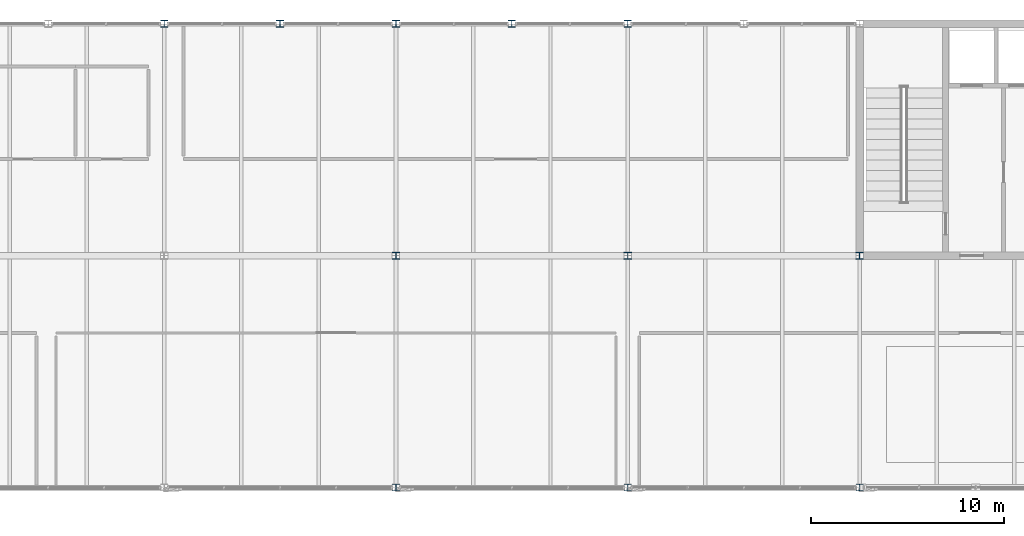
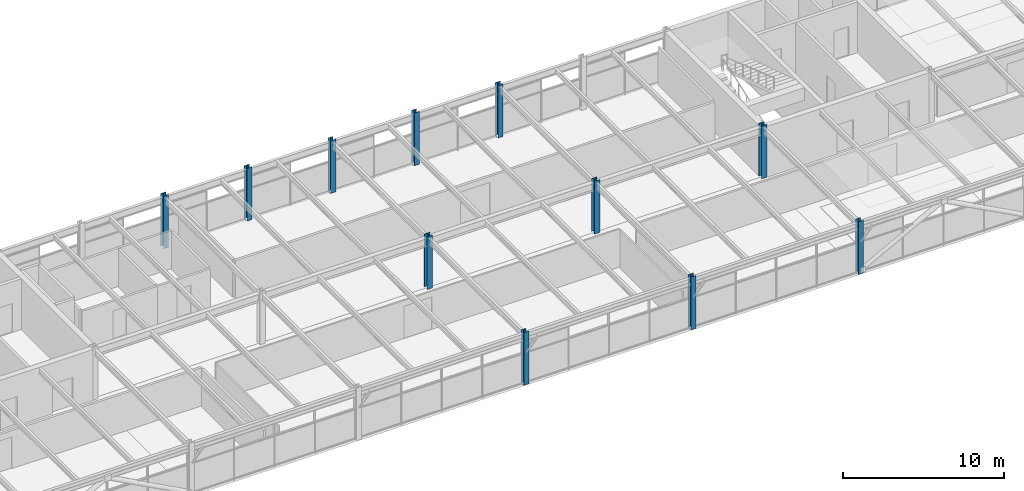
# One storey, part 2 of 40: 11 columns.
"""IFC4 building model written with IfcOpenShell, lengths in metres."""

from ifc_helpers import new_model, si_unit, direction, frame, origin, origin_2d, place, context, subcontext, project, spatial, i_section, extrude, material, material_profile, profile_set, type_object, element, save


model = new_model("IFC4")

# Units and contexts
model_context = context("Model", 3, precision=1e-05, world=origin(), true_north=direction((0.0, 1.0)))
body_context = subcontext(model_context, "Body", "Model", "MODEL_VIEW")
ifc_project = project(units=[si_unit("LENGTHUNIT", "METRE"), si_unit("AREAUNIT", "SQUARE_METRE"), si_unit("VOLUMEUNIT", "CUBIC_METRE"), si_unit("PLANEANGLEUNIT", "RADIAN"), si_unit("MASSUNIT", "GRAM", prefix="KILO")], contexts=[model_context])

# Site, building, storey
site_placement = place(None, origin())
site = spatial("IfcSite", under=ifc_project, at=site_placement, CompositionType="ELEMENT")
building_placement = place(site_placement, origin())
building = spatial("IfcBuilding", under=site, at=building_placement, Name="Girod Span Mobility Hub", CompositionType="ELEMENT")
storey_placement = place(building_placement, frame((0.0, 0.0, 57.60009765625)))
storey = spatial("IfcBuildingStorey", under=building, at=storey_placement, Name="L14", CompositionType="ELEMENT", Elevation=57.60009765625)

# Columns
ifc_material_1 = material(Name="Steel A992 Grade 50", Category="steel")
ifc_material_profile_1 = material_profile(ifc_material_1, i_section(OverallWidth=0.39404296875, OverallDepth=0.375, WebThickness=0.017333984375, FlangeThickness=0.027587890625, FilletRadius=0.01806640625, at=origin_2d()), Name="W14X145")
ifc_profile_set_1 = profile_set([ifc_material_profile_1], Name="Steel A992 Grade 50")
column_type_1 = type_object("IfcColumnType", Name="COL-STL-W14X145", PredefinedType="COLUMN", material=ifc_profile_set_1)
for number, where, z_axis, x_axis, name in (
    (1, (84.0, 57.0, 0.0), (0.0, 0.0, 1.0), (1.0, 0.0, 0.0), "Column 8E L14"),
    (2, (96.0, 57.0, 0.0), (0.0, 0.0, 1.0), (1.0, 0.0, 0.0), "Column 9E L14"),
    (3, (108.0, 57.0, 0.0), (0.0, 0.0, 1.0), (1.0, 0.0, 0.0), "Column 10E L14"),
):
    element("IfcColumn", number, at=place(storey_placement, frame(where, z_axis=z_axis, x_axis=x_axis)), inside=storey, type_object=column_type_1, Name=name, PredefinedType="COLUMN", context=body_context, shape_type="SweptSolid", body=[
        extrude(i_section(OverallWidth=0.39404296875, OverallDepth=0.375, WebThickness=0.017333984375, FlangeThickness=0.027587890625, FilletRadius=0.01806640625, at=origin_2d()), origin(), (0.0, 0.0, 1.0), 4.0),
    ])
ifc_material_2 = material(Name="Steel A992 Grade 50", Category="steel")
ifc_material_profile_2 = material_profile(ifc_material_2, i_section(OverallWidth=0.368896484375, OverallDepth=0.35595703125, WebThickness=0.01123046875, FlangeThickness=0.01806640625, FilletRadius=0.01806640625, at=origin_2d()), Name="W14X90")
ifc_profile_set_2 = profile_set([ifc_material_profile_2], Name="Steel A992 Grade 50")
column_type_2 = type_object("IfcColumnType", Name="COL-STL-W14X90", PredefinedType="COLUMN", material=ifc_profile_set_2)
for number, where, z_axis, x_axis, name in (
    (4, (72.0, 69.0, 0.0), (0.0, 0.0, 1.0), (1.0, 0.0, 0.0), "Column 7F L14"),
    (5, (84.0, 45.0, 0.0), (0.0, 0.0, 1.0), (1.0, 0.0, 0.0), "Column 8D L14"),
    (6, (84.0, 69.0, 0.0), (0.0, 0.0, 1.0), (1.0, 0.0, 0.0), "Column 8F L14"),
    (7, (96.0, 45.0, 0.0), (0.0, 0.0, 1.0), (1.0, 0.0, 0.0), "Column 9D L14"),
    (8, (96.0, 69.0, 0.0), (0.0, 0.0, 1.0), (1.0, 0.0, 0.0), "Column 9F L14"),
    (9, (108.0, 45.0, 0.0), (0.0, 0.0, 1.0), (1.0, 0.0, 0.0), "Column 10D L14"),
    (10, (78.0, 69.0, 0.0), (0.0, 0.0, 1.0), (1.0, 0.0, 0.0), "Facade Intermediate Column INT-2 L14"),
    (11, (90.0, 69.0, 0.0), (0.0, 0.0, 1.0), (1.0, 0.0, 0.0), "Facade Intermediate Column INT-3 L14"),
):
    element("IfcColumn", number, at=place(storey_placement, frame(where, z_axis=z_axis, x_axis=x_axis)), inside=storey, type_object=column_type_2, Name=name, PredefinedType="COLUMN", context=body_context, shape_type="SweptSolid", body=[
        extrude(i_section(OverallWidth=0.368896484375, OverallDepth=0.35595703125, WebThickness=0.01123046875, FlangeThickness=0.01806640625, FilletRadius=0.01806640625, at=origin_2d()), origin(), (0.0, 0.0, 1.0), 4.0),
    ])

save(model, "model.ifc")
